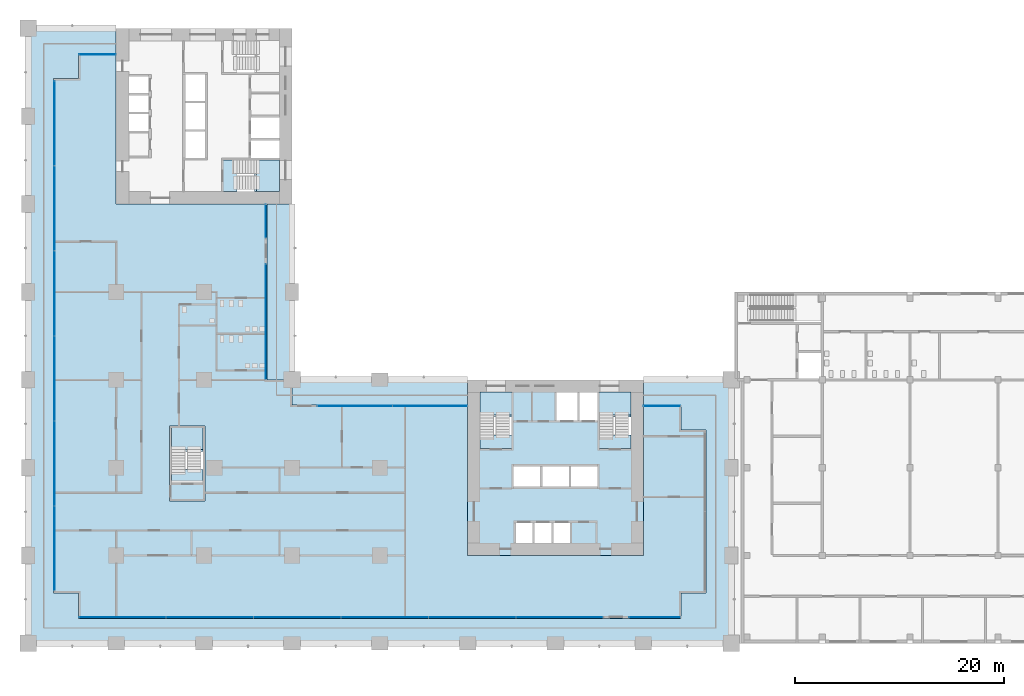
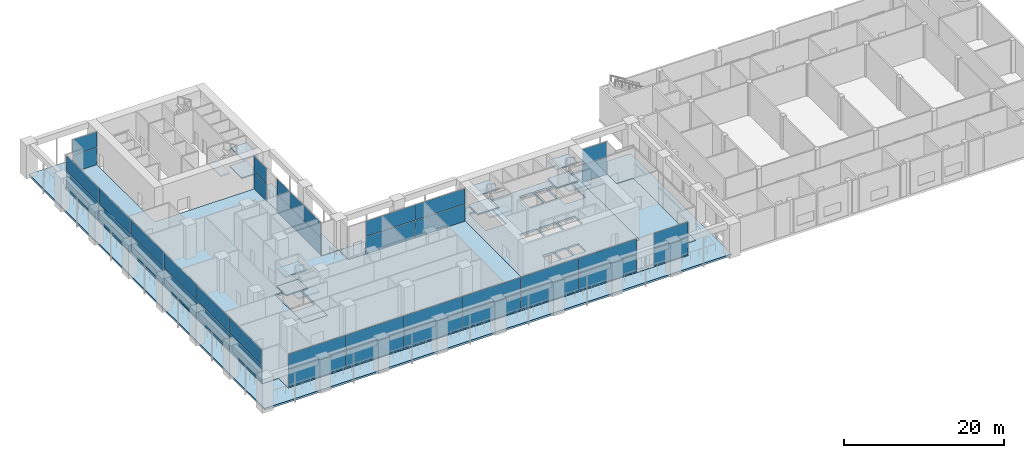
# One storey, part 12 of 32: 38 plates, 18 slabs, 12 elements without a shape of their own.
"""IFC4 building model written with IfcOpenShell, lengths in metres."""

from ifc_helpers import new_model, si_unit, direction, frame, origin, origin_2d, place, context, subcontext, project, spatial, polyline, rectangle, outline, extrude, material, layer, layer_set, type_object, element, aggregate, save


model = new_model("IFC4")

# Units and contexts
model_context = context("Model", 3, precision=1e-05, world=origin(), true_north=direction((0.0, 1.0)))
body_context = subcontext(model_context, "Body", "Model", "MODEL_VIEW")
ifc_project = project(units=[si_unit("LENGTHUNIT", "METRE"), si_unit("AREAUNIT", "SQUARE_METRE"), si_unit("VOLUMEUNIT", "CUBIC_METRE"), si_unit("PLANEANGLEUNIT", "RADIAN"), si_unit("MASSUNIT", "GRAM", prefix="KILO")], contexts=[model_context])

# Site, building, storey
site_placement = place(None, origin())
site = spatial("IfcSite", under=ifc_project, at=site_placement, CompositionType="ELEMENT")
building_placement = place(site_placement, origin())
building = spatial("IfcBuilding", under=site, at=building_placement, Name="Vermilion Gate Residences", CompositionType="ELEMENT")
storey_placement = place(building_placement, frame((0.0, 0.0, 19.800048828125)))
storey = spatial("IfcBuildingStorey", under=building, at=storey_placement, Name="L03", CompositionType="ELEMENT", Elevation=19.800048828125)

# Curtain wall, plates
ifc_material_1 = material(Name="Aluminium and glass", Category="aluminium")
curtain_wall_type = type_object("IfcCurtainWallType", Name="AMENITY GLAZING CURTAIN WALL", PredefinedType="NOTDEFINED", material=ifc_material_1)
curtain_wall_1_placement = place(storey_placement, origin())
curtain_wall_1 = element("IfcCurtainWall", 1, at=curtain_wall_1_placement, inside=storey, type_object=curtain_wall_type, Name="Amenity Glazing 0", PredefinedType="NOTDEFINED")
ifc_material_2 = material(Name="Low-iron glass", Category="glass")
ifc_layer_1 = layer(ifc_material_2, 0.028076171875)
ifc_layer_set_1 = layer_set([ifc_layer_1], Name="AMENITY GLAZING GLASS PANEL 28")
plate_type = type_object("IfcPlateType", Name="AMENITY GLAZING GLASS PANEL 28", PredefinedType="CURTAIN_PANEL", material=ifc_layer_set_1)
plate_1_placement = place(storey_placement, frame((6.60009765625, 56.300048828125, 0.06005859375), z_axis=(0.0, 0.0, 1.0), x_axis=(-1.0, 0.0, 0.0)))
plate_1 = element("IfcPlate", 2, at=plate_1_placement, type_object=plate_type, Name="ECW2 panel 1.1", PredefinedType="CURTAIN_PANEL", context=body_context, shape_type="SweptSolid", body=[
    extrude(rectangle(XDim=3.47998046875, YDim=0.028076171875, at=origin_2d()), origin(), (0.0, 0.0, 1.0), 2.610107421875),
])
plate_2_placement = place(storey_placement, frame((6.60009765625, 56.300048828125, 2.72998046875), z_axis=(0.0, 0.0, 1.0), x_axis=(-1.0, 0.0, 0.0)))
plate_2 = element("IfcPlate", 3, at=plate_2_placement, type_object=plate_type, Name="ECW2 panel 1.2", PredefinedType="CURTAIN_PANEL", context=body_context, shape_type="SweptSolid", body=[
    extrude(rectangle(XDim=3.47998046875, YDim=0.028076171875, at=origin_2d()), origin(), (0.0, 0.0, 1.0), 2.330078125),
])
aggregate(curtain_wall_1, [plate_1, plate_2])

curtain_wall_2_placement = place(storey_placement, origin())
curtain_wall_2 = element("IfcCurtainWall", 4, at=curtain_wall_2_placement, inside=storey, type_object=curtain_wall_type, Name="Amenity Glazing 30", PredefinedType="NOTDEFINED")
plate_3_placement = place(storey_placement, frame((2.5, 49.71826171875, 0.06005859375), z_axis=(0.0, 0.0, 1.0), x_axis=(0.0, -1.0, 0.0)))
plate_3 = element("IfcPlate", 5, at=plate_3_placement, type_object=plate_type, Name="ECW2 panel 1.1", PredefinedType="CURTAIN_PANEL", context=body_context, shape_type="SweptSolid", body=[
    extrude(rectangle(XDim=8.043212890625, YDim=0.028076171875, at=origin_2d()), origin(), (0.0, 0.0, 1.0), 2.610107421875),
])
plate_4_placement = place(storey_placement, frame((2.5, 49.71826171875, 2.72998046875), z_axis=(0.0, 0.0, 1.0), x_axis=(0.0, -1.0, 0.0)))
plate_4 = element("IfcPlate", 6, at=plate_4_placement, type_object=plate_type, Name="ECW2 panel 1.2", PredefinedType="CURTAIN_PANEL", context=body_context, shape_type="SweptSolid", body=[
    extrude(rectangle(XDim=8.043212890625, YDim=0.028076171875, at=origin_2d()), origin(), (0.0, 0.0, 1.0), 2.330078125),
])
plate_5_placement = place(storey_placement, frame((2.5, 41.60009765625, 0.06005859375), z_axis=(0.0, 0.0, 1.0), x_axis=(0.0, -1.0, 0.0)))
plate_5 = element("IfcPlate", 7, at=plate_5_placement, type_object=plate_type, Name="ECW2 panel 2.1", PredefinedType="CURTAIN_PANEL", context=body_context, shape_type="SweptSolid", body=[
    extrude(rectangle(XDim=8.0732421875, YDim=0.028076171875, at=origin_2d()), origin(), (0.0, 0.0, 1.0), 2.610107421875),
])
plate_6_placement = place(storey_placement, frame((2.5, 41.60009765625, 2.72998046875), z_axis=(0.0, 0.0, 1.0), x_axis=(0.0, -1.0, 0.0)))
plate_6 = element("IfcPlate", 8, at=plate_6_placement, type_object=plate_type, Name="ECW2 panel 2.2", PredefinedType="CURTAIN_PANEL", context=body_context, shape_type="SweptSolid", body=[
    extrude(rectangle(XDim=8.0732421875, YDim=0.028076171875, at=origin_2d()), origin(), (0.0, 0.0, 1.0), 2.330078125),
])
plate_7_placement = place(storey_placement, frame((2.5, 33.466552734375, 0.06005859375), z_axis=(0.0, 0.0, 1.0), x_axis=(0.0, -1.0, 0.0)))
plate_7 = element("IfcPlate", 9, at=plate_7_placement, type_object=plate_type, Name="ECW2 panel 3.1", PredefinedType="CURTAIN_PANEL", context=body_context, shape_type="SweptSolid", body=[
    extrude(rectangle(XDim=8.0732421875, YDim=0.028076171875, at=origin_2d()), origin(), (0.0, 0.0, 1.0), 2.610107421875),
])
plate_8_placement = place(storey_placement, frame((2.5, 33.466552734375, 2.72998046875), z_axis=(0.0, 0.0, 1.0), x_axis=(0.0, -1.0, 0.0)))
plate_8 = element("IfcPlate", 10, at=plate_8_placement, type_object=plate_type, Name="ECW2 panel 3.2", PredefinedType="CURTAIN_PANEL", context=body_context, shape_type="SweptSolid", body=[
    extrude(rectangle(XDim=8.0732421875, YDim=0.028076171875, at=origin_2d()), origin(), (0.0, 0.0, 1.0), 2.330078125),
])
plate_9_placement = place(storey_placement, frame((2.5, 25.333251953125, 0.06005859375), z_axis=(0.0, 0.0, 1.0), x_axis=(0.0, -1.0, 0.0)))
plate_9 = element("IfcPlate", 11, at=plate_9_placement, type_object=plate_type, Name="ECW2 panel 4.1", PredefinedType="CURTAIN_PANEL", context=body_context, shape_type="SweptSolid", body=[
    extrude(rectangle(XDim=8.0732421875, YDim=0.028076171875, at=origin_2d()), origin(), (0.0, 0.0, 1.0), 2.610107421875),
])
plate_10_placement = place(storey_placement, frame((2.5, 25.333251953125, 2.72998046875), z_axis=(0.0, 0.0, 1.0), x_axis=(0.0, -1.0, 0.0)))
plate_10 = element("IfcPlate", 12, at=plate_10_placement, type_object=plate_type, Name="ECW2 panel 4.2", PredefinedType="CURTAIN_PANEL", context=body_context, shape_type="SweptSolid", body=[
    extrude(rectangle(XDim=8.0732421875, YDim=0.028076171875, at=origin_2d()), origin(), (0.0, 0.0, 1.0), 2.330078125),
])
plate_11_placement = place(storey_placement, frame((2.5, 17.199951171875, 0.06005859375), z_axis=(0.0, 0.0, 1.0), x_axis=(0.0, -1.0, 0.0)))
plate_11 = element("IfcPlate", 13, at=plate_11_placement, type_object=plate_type, Name="ECW2 panel 5.1", PredefinedType="CURTAIN_PANEL", context=body_context, shape_type="SweptSolid", body=[
    extrude(rectangle(XDim=8.0732421875, YDim=0.028076171875, at=origin_2d()), origin(), (0.0, 0.0, 1.0), 2.610107421875),
])
plate_12_placement = place(storey_placement, frame((2.5, 17.199951171875, 2.72998046875), z_axis=(0.0, 0.0, 1.0), x_axis=(0.0, -1.0, 0.0)))
plate_12 = element("IfcPlate", 14, at=plate_12_placement, type_object=plate_type, Name="ECW2 panel 5.2", PredefinedType="CURTAIN_PANEL", context=body_context, shape_type="SweptSolid", body=[
    extrude(rectangle(XDim=8.0732421875, YDim=0.028076171875, at=origin_2d()), origin(), (0.0, 0.0, 1.0), 2.330078125),
])
plate_13_placement = place(storey_placement, frame((2.5, 9.081787109375, 0.06005859375), z_axis=(0.0, 0.0, 1.0), x_axis=(0.0, -1.0, 0.0)))
plate_13 = element("IfcPlate", 15, at=plate_13_placement, type_object=plate_type, Name="ECW2 panel 6.1", PredefinedType="CURTAIN_PANEL", context=body_context, shape_type="SweptSolid", body=[
    extrude(rectangle(XDim=8.043212890625, YDim=0.028076171875, at=origin_2d()), origin(), (0.0, 0.0, 1.0), 2.610107421875),
])
plate_14_placement = place(storey_placement, frame((2.5, 9.081787109375, 2.72998046875), z_axis=(0.0, 0.0, 1.0), x_axis=(0.0, -1.0, 0.0)))
plate_14 = element("IfcPlate", 16, at=plate_14_placement, type_object=plate_type, Name="ECW2 panel 6.2", PredefinedType="CURTAIN_PANEL", context=body_context, shape_type="SweptSolid", body=[
    extrude(rectangle(XDim=8.043212890625, YDim=0.028076171875, at=origin_2d()), origin(), (0.0, 0.0, 1.0), 2.330078125),
])
aggregate(curtain_wall_2, [plate_3, plate_4, plate_5, plate_6, plate_7, plate_8, plate_9, plate_10, plate_11, plate_12, plate_13, plate_14])

curtain_wall_3_placement = place(storey_placement, origin())
curtain_wall_3 = element("IfcCurtainWall", 17, at=curtain_wall_3_placement, inside=storey, type_object=curtain_wall_type, Name="Amenity Glazing 60", PredefinedType="NOTDEFINED")
plate_15_placement = place(storey_placement, frame((8.998291015625, 2.5, 0.06005859375), z_axis=(0.0, 0.0, 1.0), x_axis=(1.0, 0.0, 0.0)))
plate_15 = element("IfcPlate", 18, at=plate_15_placement, type_object=plate_type, Name="ECW2 panel 1.1", PredefinedType="CURTAIN_PANEL", context=body_context, shape_type="SweptSolid", body=[
    extrude(rectangle(XDim=8.276611328125, YDim=0.028076171875, at=origin_2d()), origin(), (0.0, 0.0, 1.0), 2.610107421875),
])
plate_16_placement = place(storey_placement, frame((8.998291015625, 2.5, 2.72998046875), z_axis=(0.0, 0.0, 1.0), x_axis=(1.0, 0.0, 0.0)))
plate_16 = element("IfcPlate", 19, at=plate_16_placement, type_object=plate_type, Name="ECW2 panel 1.2", PredefinedType="CURTAIN_PANEL", context=body_context, shape_type="SweptSolid", body=[
    extrude(rectangle(XDim=8.276611328125, YDim=0.028076171875, at=origin_2d()), origin(), (0.0, 0.0, 1.0), 2.330078125),
])
plate_17_placement = place(storey_placement, frame((17.35009765625, 2.5, 0.06005859375), z_axis=(0.0, 0.0, 1.0), x_axis=(1.0, 0.0, 0.0)))
plate_17 = element("IfcPlate", 20, at=plate_17_placement, type_object=plate_type, Name="ECW2 panel 2.1", PredefinedType="CURTAIN_PANEL", context=body_context, shape_type="SweptSolid", body=[
    extrude(rectangle(XDim=8.306640625, YDim=0.028076171875, at=origin_2d()), origin(), (0.0, 0.0, 1.0), 2.610107421875),
])
plate_18_placement = place(storey_placement, frame((17.35009765625, 2.5, 2.72998046875), z_axis=(0.0, 0.0, 1.0), x_axis=(1.0, 0.0, 0.0)))
plate_18 = element("IfcPlate", 21, at=plate_18_placement, type_object=plate_type, Name="ECW2 panel 2.2", PredefinedType="CURTAIN_PANEL", context=body_context, shape_type="SweptSolid", body=[
    extrude(rectangle(XDim=8.306640625, YDim=0.028076171875, at=origin_2d()), origin(), (0.0, 0.0, 1.0), 2.330078125),
])
plate_19_placement = place(storey_placement, frame((25.716552734375, 2.5, 0.06005859375), z_axis=(0.0, 0.0, 1.0), x_axis=(1.0, 0.0, 0.0)))
plate_19 = element("IfcPlate", 22, at=plate_19_placement, type_object=plate_type, Name="ECW2 panel 3.1", PredefinedType="CURTAIN_PANEL", context=body_context, shape_type="SweptSolid", body=[
    extrude(rectangle(XDim=8.306640625, YDim=0.028076171875, at=origin_2d()), origin(), (0.0, 0.0, 1.0), 2.610107421875),
])
plate_20_placement = place(storey_placement, frame((25.716552734375, 2.5, 2.72998046875), z_axis=(0.0, 0.0, 1.0), x_axis=(1.0, 0.0, 0.0)))
plate_20 = element("IfcPlate", 23, at=plate_20_placement, type_object=plate_type, Name="ECW2 panel 3.2", PredefinedType="CURTAIN_PANEL", context=body_context, shape_type="SweptSolid", body=[
    extrude(rectangle(XDim=8.306640625, YDim=0.028076171875, at=origin_2d()), origin(), (0.0, 0.0, 1.0), 2.330078125),
])
plate_21_placement = place(storey_placement, frame((34.083251953125, 2.5, 0.06005859375), z_axis=(0.0, 0.0, 1.0), x_axis=(1.0, 0.0, 0.0)))
plate_21 = element("IfcPlate", 24, at=plate_21_placement, type_object=plate_type, Name="ECW2 panel 4.1", PredefinedType="CURTAIN_PANEL", context=body_context, shape_type="SweptSolid", body=[
    extrude(rectangle(XDim=8.306640625, YDim=0.028076171875, at=origin_2d()), origin(), (0.0, 0.0, 1.0), 2.610107421875),
])
plate_22_placement = place(storey_placement, frame((34.083251953125, 2.5, 2.72998046875), z_axis=(0.0, 0.0, 1.0), x_axis=(1.0, 0.0, 0.0)))
plate_22 = element("IfcPlate", 25, at=plate_22_placement, type_object=plate_type, Name="ECW2 panel 4.2", PredefinedType="CURTAIN_PANEL", context=body_context, shape_type="SweptSolid", body=[
    extrude(rectangle(XDim=8.306640625, YDim=0.028076171875, at=origin_2d()), origin(), (0.0, 0.0, 1.0), 2.330078125),
])
plate_23_placement = place(storey_placement, frame((42.449951171875, 2.5, 0.06005859375), z_axis=(0.0, 0.0, 1.0), x_axis=(1.0, 0.0, 0.0)))
plate_23 = element("IfcPlate", 26, at=plate_23_placement, type_object=plate_type, Name="ECW2 panel 5.1", PredefinedType="CURTAIN_PANEL", context=body_context, shape_type="SweptSolid", body=[
    extrude(rectangle(XDim=8.306640625, YDim=0.028076171875, at=origin_2d()), origin(), (0.0, 0.0, 1.0), 2.610107421875),
])
plate_24_placement = place(storey_placement, frame((42.449951171875, 2.5, 2.72998046875), z_axis=(0.0, 0.0, 1.0), x_axis=(1.0, 0.0, 0.0)))
plate_24 = element("IfcPlate", 27, at=plate_24_placement, type_object=plate_type, Name="ECW2 panel 5.2", PredefinedType="CURTAIN_PANEL", context=body_context, shape_type="SweptSolid", body=[
    extrude(rectangle(XDim=8.306640625, YDim=0.028076171875, at=origin_2d()), origin(), (0.0, 0.0, 1.0), 2.330078125),
])
plate_25_placement = place(storey_placement, frame((50.8017578125, 2.5, 0.06005859375), z_axis=(0.0, 0.0, 1.0), x_axis=(1.0, 0.0, 0.0)))
plate_25 = element("IfcPlate", 28, at=plate_25_placement, type_object=plate_type, Name="ECW2 panel 6.1", PredefinedType="CURTAIN_PANEL", context=body_context, shape_type="SweptSolid", body=[
    extrude(rectangle(XDim=8.276611328125, YDim=0.028076171875, at=origin_2d()), origin(), (0.0, 0.0, 1.0), 2.610107421875),
])
plate_26_placement = place(storey_placement, frame((50.8017578125, 2.5, 2.72998046875), z_axis=(0.0, 0.0, 1.0), x_axis=(1.0, 0.0, 0.0)))
plate_26 = element("IfcPlate", 29, at=plate_26_placement, type_object=plate_type, Name="ECW2 panel 6.2", PredefinedType="CURTAIN_PANEL", context=body_context, shape_type="SweptSolid", body=[
    extrude(rectangle(XDim=8.276611328125, YDim=0.028076171875, at=origin_2d()), origin(), (0.0, 0.0, 1.0), 2.330078125),
])
aggregate(curtain_wall_3, [plate_15, plate_16, plate_17, plate_18, plate_19, plate_20, plate_21, plate_22, plate_23, plate_24, plate_25, plate_26])

curtain_wall_4_placement = place(storey_placement, origin())
curtain_wall_4 = element("IfcCurtainWall", 30, at=curtain_wall_4_placement, inside=storey, type_object=curtain_wall_type, Name="Amenity Glazing 62", PredefinedType="NOTDEFINED")
plate_27_placement = place(storey_placement, frame((59.89990234375, 2.5, 0.06005859375), z_axis=(0.0, 0.0, 1.0), x_axis=(1.0, 0.0, 0.0)))
plate_27 = element("IfcPlate", 31, at=plate_27_placement, type_object=plate_type, Name="ECW2 panel 1.1", PredefinedType="CURTAIN_PANEL", context=body_context, shape_type="SweptSolid", body=[
    extrude(rectangle(XDim=4.8798828125, YDim=0.028076171875, at=origin_2d()), origin(), (0.0, 0.0, 1.0), 2.610107421875),
])
plate_28_placement = place(storey_placement, frame((59.89990234375, 2.5, 2.72998046875), z_axis=(0.0, 0.0, 1.0), x_axis=(1.0, 0.0, 0.0)))
plate_28 = element("IfcPlate", 32, at=plate_28_placement, type_object=plate_type, Name="ECW2 panel 1.2", PredefinedType="CURTAIN_PANEL", context=body_context, shape_type="SweptSolid", body=[
    extrude(rectangle(XDim=4.8798828125, YDim=0.028076171875, at=origin_2d()), origin(), (0.0, 0.0, 1.0), 2.330078125),
])
aggregate(curtain_wall_4, [plate_27, plate_28])

curtain_wall_5_placement = place(storey_placement, origin())
curtain_wall_5 = element("IfcCurtainWall", 33, at=curtain_wall_5_placement, inside=storey, type_object=curtain_wall_type, Name="Amenity Glazing 120", PredefinedType="NOTDEFINED")
plate_29_placement = place(storey_placement, frame((60.60009765625, 22.699951171875, 0.06005859375), z_axis=(0.0, 0.0, 1.0), x_axis=(-1.0, 0.0, 0.0)))
plate_29 = element("IfcPlate", 34, at=plate_29_placement, type_object=plate_type, Name="ECW2 panel 1.1", PredefinedType="CURTAIN_PANEL", context=body_context, shape_type="SweptSolid", body=[
    extrude(rectangle(XDim=3.47998046875, YDim=0.028076171875, at=origin_2d()), origin(), (0.0, 0.0, 1.0), 2.610107421875),
])
plate_30_placement = place(storey_placement, frame((60.60009765625, 22.699951171875, 2.72998046875), z_axis=(0.0, 0.0, 1.0), x_axis=(-1.0, 0.0, 0.0)))
plate_30 = element("IfcPlate", 35, at=plate_30_placement, type_object=plate_type, Name="ECW2 panel 1.2", PredefinedType="CURTAIN_PANEL", context=body_context, shape_type="SweptSolid", body=[
    extrude(rectangle(XDim=3.47998046875, YDim=0.028076171875, at=origin_2d()), origin(), (0.0, 0.0, 1.0), 2.330078125),
])
aggregate(curtain_wall_5, [plate_29, plate_30])

curtain_wall_6_placement = place(storey_placement, origin())
curtain_wall_6 = element("IfcCurtainWall", 36, at=curtain_wall_6_placement, inside=storey, type_object=curtain_wall_type, Name="Amenity Glazing 130", PredefinedType="NOTDEFINED")
plate_31_placement = place(storey_placement, frame((38.385009765625, 22.699951171875, 0.06005859375), z_axis=(0.0, 0.0, 1.0), x_axis=(-1.0, 0.0, 0.0)))
plate_31 = element("IfcPlate", 37, at=plate_31_placement, type_object=plate_type, Name="ECW2 panel 1.1", PredefinedType="CURTAIN_PANEL", context=body_context, shape_type="SweptSolid", body=[
    extrude(rectangle(XDim=7.110107421875, YDim=0.028076171875, at=origin_2d()), origin(), (0.0, 0.0, 1.0), 2.610107421875),
])
plate_32_placement = place(storey_placement, frame((38.385009765625, 22.699951171875, 2.72998046875), z_axis=(0.0, 0.0, 1.0), x_axis=(-1.0, 0.0, 0.0)))
plate_32 = element("IfcPlate", 38, at=plate_32_placement, type_object=plate_type, Name="ECW2 panel 1.2", PredefinedType="CURTAIN_PANEL", context=body_context, shape_type="SweptSolid", body=[
    extrude(rectangle(XDim=7.110107421875, YDim=0.028076171875, at=origin_2d()), origin(), (0.0, 0.0, 1.0), 2.330078125),
])
plate_33_placement = place(storey_placement, frame((31.215087890625, 22.699951171875, 0.06005859375), z_axis=(0.0, 0.0, 1.0), x_axis=(-1.0, 0.0, 0.0)))
plate_33 = element("IfcPlate", 39, at=plate_33_placement, type_object=plate_type, Name="ECW2 panel 2.1", PredefinedType="CURTAIN_PANEL", context=body_context, shape_type="SweptSolid", body=[
    extrude(rectangle(XDim=7.110107421875, YDim=0.028076171875, at=origin_2d()), origin(), (0.0, 0.0, 1.0), 2.610107421875),
])
plate_34_placement = place(storey_placement, frame((31.215087890625, 22.699951171875, 2.72998046875), z_axis=(0.0, 0.0, 1.0), x_axis=(-1.0, 0.0, 0.0)))
plate_34 = element("IfcPlate", 40, at=plate_34_placement, type_object=plate_type, Name="ECW2 panel 2.2", PredefinedType="CURTAIN_PANEL", context=body_context, shape_type="SweptSolid", body=[
    extrude(rectangle(XDim=7.110107421875, YDim=0.028076171875, at=origin_2d()), origin(), (0.0, 0.0, 1.0), 2.330078125),
])
aggregate(curtain_wall_6, [plate_31, plate_32, plate_33, plate_34])

curtain_wall_7_placement = place(storey_placement, origin())
curtain_wall_7 = element("IfcCurtainWall", 41, at=curtain_wall_7_placement, inside=storey, type_object=curtain_wall_type, Name="Amenity Glazing 160", PredefinedType="NOTDEFINED")
plate_35_placement = place(storey_placement, frame((22.699951171875, 30.75, 0.06005859375), z_axis=(0.0, 0.0, 1.0), x_axis=(0.0, 1.0, 0.0)))
plate_35 = element("IfcPlate", 42, at=plate_35_placement, type_object=plate_type, Name="ECW2 panel 1.1", PredefinedType="CURTAIN_PANEL", context=body_context, shape_type="SweptSolid", body=[
    extrude(rectangle(XDim=10.97998046875, YDim=0.028076171875, at=origin_2d()), origin(), (0.0, 0.0, 1.0), 2.610107421875),
])
plate_36_placement = place(storey_placement, frame((22.699951171875, 30.75, 2.72998046875), z_axis=(0.0, 0.0, 1.0), x_axis=(0.0, 1.0, 0.0)))
plate_36 = element("IfcPlate", 43, at=plate_36_placement, type_object=plate_type, Name="ECW2 panel 1.2", PredefinedType="CURTAIN_PANEL", context=body_context, shape_type="SweptSolid", body=[
    extrude(rectangle(XDim=10.97998046875, YDim=0.028076171875, at=origin_2d()), origin(), (0.0, 0.0, 1.0), 2.330078125),
])
aggregate(curtain_wall_7, [plate_35, plate_36])

curtain_wall_8_placement = place(storey_placement, origin())
curtain_wall_8 = element("IfcCurtainWall", 44, at=curtain_wall_8_placement, inside=storey, type_object=curtain_wall_type, Name="Amenity Glazing 162", PredefinedType="NOTDEFINED")
plate_37_placement = place(storey_placement, frame((22.699951171875, 40.35009765625, 0.06005859375), z_axis=(0.0, 0.0, 1.0), x_axis=(0.0, 1.0, 0.0)))
plate_37 = element("IfcPlate", 45, at=plate_37_placement, type_object=plate_type, Name="ECW2 panel 1.1", PredefinedType="CURTAIN_PANEL", context=body_context, shape_type="SweptSolid", body=[
    extrude(rectangle(XDim=3.179931640625, YDim=0.028076171875, at=origin_2d()), origin(), (0.0, 0.0, 1.0), 2.610107421875),
])
plate_38_placement = place(storey_placement, frame((22.699951171875, 40.35009765625, 2.72998046875), z_axis=(0.0, 0.0, 1.0), x_axis=(0.0, 1.0, 0.0)))
plate_38 = element("IfcPlate", 46, at=plate_38_placement, type_object=plate_type, Name="ECW2 panel 1.2", PredefinedType="CURTAIN_PANEL", context=body_context, shape_type="SweptSolid", body=[
    extrude(rectangle(XDim=3.179931640625, YDim=0.028076171875, at=origin_2d()), origin(), (0.0, 0.0, 1.0), 2.330078125),
])
aggregate(curtain_wall_8, [plate_37, plate_38])

# Slabs
ifc_material_3 = material(Name="Concrete C50", Category="concrete")
ifc_layer_2 = layer(ifc_material_3, 0.300048828125)
ifc_layer_set_2 = layer_set([ifc_layer_2], Name="RC CORE FLOOR SLAB 300 C50")
slab_type_1 = type_object("IfcSlabType", Name="RC CORE FLOOR SLAB 300 C50", PredefinedType="FLOOR", material=ifc_layer_set_2)
slab_1_placement = place(storey_placement, frame((0.0, 0.0, -0.300048828125)))
element("IfcSlab", 47, at=slab_1_placement, inside=storey, type_object=slab_type_1, Name="Core floor slab A03", PredefinedType="FLOOR", context=body_context, shape_type="SweptSolid", body=[
    extrude(outline(polyline([(42.0, 8.39990234375), (58.800048828125, 8.39990234375), (58.800048828125, 25.199951171875), (42.0, 25.199951171875), (42.0, 8.39990234375)]), holes=[polyline([(46.60009765625, 11.5), (48.199951171875, 11.5), (48.199951171875, 9.60009765625), (46.60009765625, 9.60009765625), (46.60009765625, 11.5)]), polyline([(48.39990234375, 11.5), (50.0, 11.5), (50.0, 9.60009765625), (48.39990234375, 9.60009765625), (48.39990234375, 11.5)]), polyline([(50.199951171875, 11.5), (51.800048828125, 11.5), (51.800048828125, 9.60009765625), (50.199951171875, 9.60009765625), (50.199951171875, 11.5)]), polyline([(48.933349609375, 16.89990234375), (48.933349609375, 15.0), (46.39990234375, 15.0), (46.39990234375, 16.89990234375), (48.933349609375, 16.89990234375)]), polyline([(51.666748046875, 16.89990234375), (51.666748046875, 15.0), (49.13330078125, 15.0), (49.13330078125, 16.89990234375), (51.666748046875, 16.89990234375)]), polyline([(51.86669921875, 16.89990234375), (54.39990234375, 16.89990234375), (54.39990234375, 15.0), (51.86669921875, 15.0), (51.86669921875, 16.89990234375)]), polyline([(43.199951171875, 24.0), (46.199951171875, 24.0), (46.199951171875, 19.75), (43.199951171875, 19.75), (43.199951171875, 24.0)]), polyline([(54.60009765625, 24.0), (57.60009765625, 24.0), (57.60009765625, 19.75), (54.60009765625, 19.75), (54.60009765625, 24.0)]), polyline([(52.5, 24.0), (52.5, 21.300048828125), (50.5, 21.300048828125), (50.5, 24.0), (52.5, 24.0)]), polyline([(54.39990234375, 24.0), (54.39990234375, 21.300048828125), (52.699951171875, 21.300048828125), (52.699951171875, 24.0), (54.39990234375, 24.0)])]), origin(), (0.0, 0.0, 1.0), 0.300048828125),
])
slab_2_placement = place(storey_placement, frame((0.0, 0.0, -0.300048828125)))
element("IfcSlab", 48, at=slab_2_placement, inside=storey, type_object=slab_type_1, Name="Apex stair floor slab 03", PredefinedType="FLOOR", context=body_context, shape_type="SweptSolid", body=[
    extrude(outline(polyline([(13.5, 13.60009765625), (16.89990234375, 13.60009765625), (16.89990234375, 20.800048828125), (13.5, 20.800048828125), (13.5, 13.60009765625)]), holes=[polyline([(16.699951171875, 20.60009765625), (16.699951171875, 16.449951171875), (13.699951171875, 16.449951171875), (13.699951171875, 20.60009765625), (16.699951171875, 20.60009765625)])]), origin(), (0.0, 0.0, 1.0), 0.300048828125),
])
ifc_material_4 = material(Name="Concrete C50", Category="concrete")
ifc_layer_3 = layer(ifc_material_4, 0.300048828125)
ifc_layer_set_3 = layer_set([ifc_layer_3], Name="RC FLAT PLATE 300 C50")
slab_type_2 = type_object("IfcSlabType", Name="RC FLAT PLATE 300 C50", PredefinedType="FLOOR", material=ifc_layer_set_3)
slab_3_placement = place(storey_placement, frame((0.0, 0.0, -0.300048828125)))
element("IfcSlab", 49, at=slab_3_placement, inside=storey, type_object=slab_type_2, Name="Floor slab L03", PredefinedType="FLOOR", context=body_context, shape_type="SweptSolid", body=[
    extrude(outline(polyline([(22.800048828125, 25.199951171875), (22.800048828125, 42.0), (8.39990234375, 42.0), (8.39990234375, 56.39990234375), (4.800048828125, 56.39990234375), (4.800048828125, 54.0), (2.39990234375, 54.0), (2.39990234375, 4.800048828125), (4.800048828125, 4.800048828125), (4.800048828125, 2.39990234375), (62.39990234375, 2.39990234375), (62.39990234375, 4.800048828125), (64.800048828125, 4.800048828125), (64.800048828125, 20.39990234375), (62.39990234375, 20.39990234375), (62.39990234375, 22.800048828125), (58.800048828125, 22.800048828125), (58.800048828125, 8.39990234375), (42.0, 8.39990234375), (42.0, 22.800048828125), (25.199951171875, 22.800048828125), (25.199951171875, 25.199951171875), (22.800048828125, 25.199951171875)]), holes=[polyline([(13.5, 13.60009765625), (13.5, 20.800048828125), (16.89990234375, 20.800048828125), (16.89990234375, 13.60009765625), (13.5, 13.60009765625)])]), origin(), (0.0, 0.0, 1.0), 0.300048828125),
])
ifc_material_5 = material(Name="Concrete C50 red-oxide pigmented", Category="concrete")
ifc_layer_4 = layer(ifc_material_5, 0.300048828125)
ifc_layer_set_4 = layer_set([ifc_layer_4], Name="RC LOGGIA SLAB 300 C50")
slab_type_3 = type_object("IfcSlabType", Name="RC LOGGIA SLAB 300 C50", PredefinedType="FLOOR", material=ifc_layer_set_4)
slab_4_placement = place(storey_placement, frame((0.0, 0.0, -0.300048828125)))
element("IfcSlab", 50, at=slab_4_placement, inside=storey, type_object=slab_type_3, Name="Loggia slab L03", PredefinedType="FLOOR", context=body_context, shape_type="SweptSolid", body=[
    extrude(outline(polyline([(0.0, 58.800048828125), (0.0, 0.0), (67.199951171875, 0.0), (67.199951171875, 25.199951171875), (58.800048828125, 25.199951171875), (58.800048828125, 22.800048828125), (62.39990234375, 22.800048828125), (62.39990234375, 20.39990234375), (64.800048828125, 20.39990234375), (64.800048828125, 4.800048828125), (62.39990234375, 4.800048828125), (62.39990234375, 2.39990234375), (4.800048828125, 2.39990234375), (4.800048828125, 4.800048828125), (2.39990234375, 4.800048828125), (2.39990234375, 54.0), (4.800048828125, 54.0), (4.800048828125, 56.39990234375), (8.39990234375, 56.39990234375), (8.39990234375, 58.800048828125), (0.0, 58.800048828125)])), origin(), (0.0, 0.0, 1.0), 0.300048828125),
])
slab_5_placement = place(storey_placement, frame((0.0, 0.0, -0.300048828125)))
element("IfcSlab", 51, at=slab_5_placement, inside=storey, type_object=slab_type_3, Name="Loggia slab L03", PredefinedType="FLOOR", context=body_context, shape_type="SweptSolid", body=[
    extrude(outline(polyline([(25.199951171875, 22.800048828125), (42.0, 22.800048828125), (42.0, 25.199951171875), (25.199951171875, 25.199951171875), (25.199951171875, 22.800048828125)])), origin(), (0.0, 0.0, 1.0), 0.300048828125),
])
slab_6_placement = place(storey_placement, frame((0.0, 0.0, -0.300048828125)))
element("IfcSlab", 52, at=slab_6_placement, inside=storey, type_object=slab_type_3, Name="Loggia slab L03", PredefinedType="FLOOR", context=body_context, shape_type="SweptSolid", body=[
    extrude(outline(polyline([(22.800048828125, 42.0), (22.800048828125, 25.199951171875), (25.199951171875, 25.199951171875), (25.199951171875, 42.0), (22.800048828125, 42.0)])), origin(), (0.0, 0.0, 1.0), 0.300048828125),
])

# Stair, slabs
ifc_material_6 = material(Name="Concrete C50", Category="concrete")
stair_type = type_object("IfcStairType", Name="SPECIAL ESCAPE STAIR 1300", PredefinedType="HALF_TURN_STAIR", material=ifc_material_6)
stair_1_placement = place(storey_placement, origin())
stair_1 = element("IfcStair", 53, at=stair_1_placement, inside=storey, type_object=stair_type, Name="Special escape stair STA1-03", PredefinedType="HALF_TURN_STAIR")
ifc_material_7 = material(Name="Concrete C50", Category="concrete")
ifc_layer_5 = layer(ifc_material_7, 0.199951171875)
ifc_layer_set_5 = layer_set([ifc_layer_5], Name="STAIR LANDING 200 C50")
slab_type_4 = type_object("IfcSlabType", Name="STAIR LANDING 200 C50", PredefinedType="LANDING", material=ifc_layer_set_5)
slab_7_placement = place(storey_placement, frame((0.0, 0.0, 1.14990234375)))
slab_7 = element("IfcSlab", 54, at=slab_7_placement, type_object=slab_type_4, Name="STA1-03 landing 1", PredefinedType="LANDING", context=body_context, shape_type="SweptSolid", body=[
    extrude(outline(polyline([(46.219970703125, 21.639892578125), (46.219970703125, 24.02001953125), (43.179931640625, 24.02001953125), (43.179931640625, 21.639892578125), (46.219970703125, 21.639892578125)])), origin(), (0.0, 0.0, 1.0), 0.199951171875),
])
slab_8_placement = place(storey_placement, frame((0.0, 0.0, 2.5)))
slab_8 = element("IfcSlab", 55, at=slab_8_placement, type_object=slab_type_4, Name="STA1-03 landing 2", PredefinedType="LANDING", context=body_context, shape_type="SweptSolid", body=[
    extrude(outline(polyline([(46.219970703125, 18.6298828125), (46.219970703125, 19.929931640625), (43.179931640625, 19.929931640625), (43.179931640625, 18.6298828125), (46.219970703125, 18.6298828125)])), origin(), (0.0, 0.0, 1.0), 0.199951171875),
])
slab_9_placement = place(storey_placement, frame((0.0, 0.0, 3.849853515625)))
slab_9 = element("IfcSlab", 56, at=slab_9_placement, type_object=slab_type_4, Name="STA1-03 landing 3", PredefinedType="LANDING", context=body_context, shape_type="SweptSolid", body=[
    extrude(outline(polyline([(46.219970703125, 21.820068359375), (46.219970703125, 24.02001953125), (43.179931640625, 24.02001953125), (43.179931640625, 21.820068359375), (46.219970703125, 21.820068359375)])), origin(), (0.0, 0.0, 1.0), 0.2001953125),
])
aggregate(stair_1, [slab_7, slab_8, slab_9])

stair_2_placement = place(storey_placement, origin())
stair_2 = element("IfcStair", 57, at=stair_2_placement, inside=storey, type_object=stair_type, Name="Special escape stair STA2-03", PredefinedType="HALF_TURN_STAIR")
slab_10_placement = place(storey_placement, frame((0.0, 0.0, 1.14990234375)))
slab_10 = element("IfcSlab", 58, at=slab_10_placement, type_object=slab_type_4, Name="STA2-03 landing 1", PredefinedType="LANDING", context=body_context, shape_type="SweptSolid", body=[
    extrude(outline(polyline([(57.6201171875, 21.639892578125), (57.6201171875, 24.02001953125), (54.580078125, 24.02001953125), (54.580078125, 21.639892578125), (57.6201171875, 21.639892578125)])), origin(), (0.0, 0.0, 1.0), 0.199951171875),
])
slab_11_placement = place(storey_placement, frame((0.0, 0.0, 2.5)))
slab_11 = element("IfcSlab", 59, at=slab_11_placement, type_object=slab_type_4, Name="STA2-03 landing 2", PredefinedType="LANDING", context=body_context, shape_type="SweptSolid", body=[
    extrude(outline(polyline([(57.6201171875, 18.6298828125), (57.6201171875, 19.929931640625), (54.580078125, 19.929931640625), (54.580078125, 18.6298828125), (57.6201171875, 18.6298828125)])), origin(), (0.0, 0.0, 1.0), 0.199951171875),
])
slab_12_placement = place(storey_placement, frame((0.0, 0.0, 3.849853515625)))
slab_12 = element("IfcSlab", 60, at=slab_12_placement, type_object=slab_type_4, Name="STA2-03 landing 3", PredefinedType="LANDING", context=body_context, shape_type="SweptSolid", body=[
    extrude(outline(polyline([(57.6201171875, 21.820068359375), (57.6201171875, 24.02001953125), (54.580078125, 24.02001953125), (54.580078125, 21.820068359375), (57.6201171875, 21.820068359375)])), origin(), (0.0, 0.0, 1.0), 0.2001953125),
])
aggregate(stair_2, [slab_10, slab_11, slab_12])

stair_3_placement = place(storey_placement, origin())
stair_3 = element("IfcStair", 61, at=stair_3_placement, inside=storey, type_object=stair_type, Name="Special escape stair STB2-03", PredefinedType="HALF_TURN_STAIR")
slab_13_placement = place(storey_placement, frame((0.0, 0.0, 1.14990234375)))
slab_13 = element("IfcSlab", 62, at=slab_13_placement, type_object=slab_type_4, Name="STB2-03 landing 1", PredefinedType="LANDING", context=body_context, shape_type="SweptSolid", body=[
    extrude(outline(polyline([(24.02001953125, 43.179931640625), (24.02001953125, 46.219970703125), (21.639892578125, 46.219970703125), (21.639892578125, 43.179931640625), (24.02001953125, 43.179931640625)])), origin(), (0.0, 0.0, 1.0), 0.199951171875),
])
slab_14_placement = place(storey_placement, frame((0.0, 0.0, 2.5)))
slab_14 = element("IfcSlab", 63, at=slab_14_placement, type_object=slab_type_4, Name="STB2-03 landing 2", PredefinedType="LANDING", context=body_context, shape_type="SweptSolid", body=[
    extrude(outline(polyline([(19.929931640625, 43.179931640625), (19.929931640625, 46.219970703125), (18.6298828125, 46.219970703125), (18.6298828125, 43.179931640625), (19.929931640625, 43.179931640625)])), origin(), (0.0, 0.0, 1.0), 0.199951171875),
])
slab_15_placement = place(storey_placement, frame((0.0, 0.0, 3.849853515625)))
slab_15 = element("IfcSlab", 64, at=slab_15_placement, type_object=slab_type_4, Name="STB2-03 landing 3", PredefinedType="LANDING", context=body_context, shape_type="SweptSolid", body=[
    extrude(outline(polyline([(24.02001953125, 43.179931640625), (24.02001953125, 46.219970703125), (21.820068359375, 46.219970703125), (21.820068359375, 43.179931640625), (24.02001953125, 43.179931640625)])), origin(), (0.0, 0.0, 1.0), 0.2001953125),
])
aggregate(stair_3, [slab_13, slab_14, slab_15])

stair_4_placement = place(storey_placement, origin())
stair_4 = element("IfcStair", 65, at=stair_4_placement, inside=storey, type_object=stair_type, Name="Special escape stair STC1-03", PredefinedType="HALF_TURN_STAIR")
slab_16_placement = place(storey_placement, frame((0.0, 0.0, 1.14990234375)))
slab_16 = element("IfcSlab", 66, at=slab_16_placement, type_object=slab_type_4, Name="STC1-03 landing 1", PredefinedType="LANDING", context=body_context, shape_type="SweptSolid", body=[
    extrude(outline(polyline([(16.719970703125, 18.340087890625), (16.719970703125, 20.6201171875), (13.679931640625, 20.6201171875), (13.679931640625, 18.340087890625), (16.719970703125, 18.340087890625)])), origin(), (0.0, 0.0, 1.0), 0.199951171875),
])
slab_17_placement = place(storey_placement, frame((0.0, 0.0, 2.5)))
slab_17 = element("IfcSlab", 67, at=slab_17_placement, type_object=slab_type_4, Name="STC1-03 landing 2", PredefinedType="LANDING", context=body_context, shape_type="SweptSolid", body=[
    extrude(outline(polyline([(16.719970703125, 15.330078125), (16.719970703125, 16.6298828125), (13.679931640625, 16.6298828125), (13.679931640625, 15.330078125), (16.719970703125, 15.330078125)])), origin(), (0.0, 0.0, 1.0), 0.199951171875),
])
slab_18_placement = place(storey_placement, frame((0.0, 0.0, 3.849853515625)))
slab_18 = element("IfcSlab", 68, at=slab_18_placement, type_object=slab_type_4, Name="STC1-03 landing 3", PredefinedType="LANDING", context=body_context, shape_type="SweptSolid", body=[
    extrude(outline(polyline([(16.719970703125, 18.52001953125), (16.719970703125, 20.6201171875), (13.679931640625, 20.6201171875), (13.679931640625, 18.52001953125), (16.719970703125, 18.52001953125)])), origin(), (0.0, 0.0, 1.0), 0.2001953125),
])
aggregate(stair_4, [slab_16, slab_17, slab_18])

save(model, "model.ifc")
